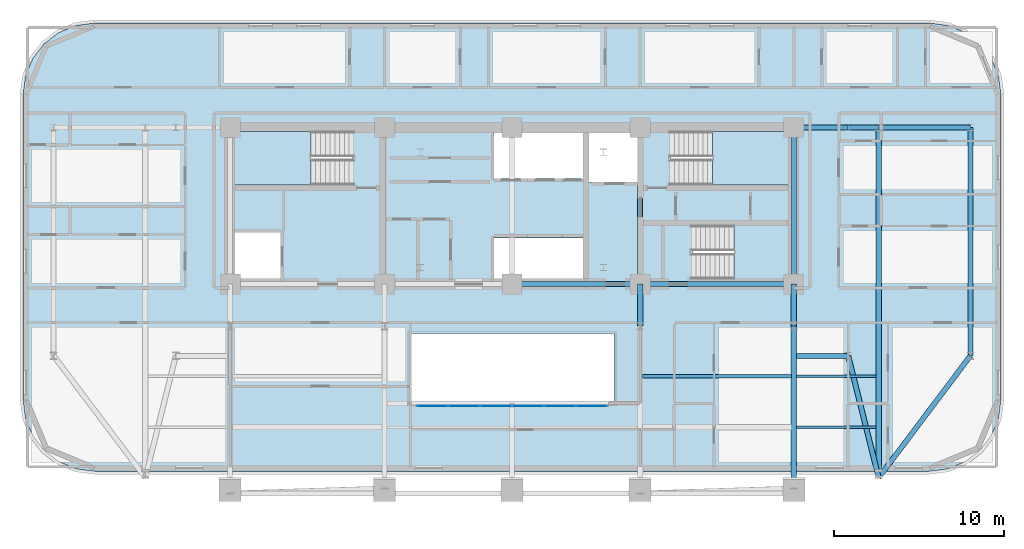
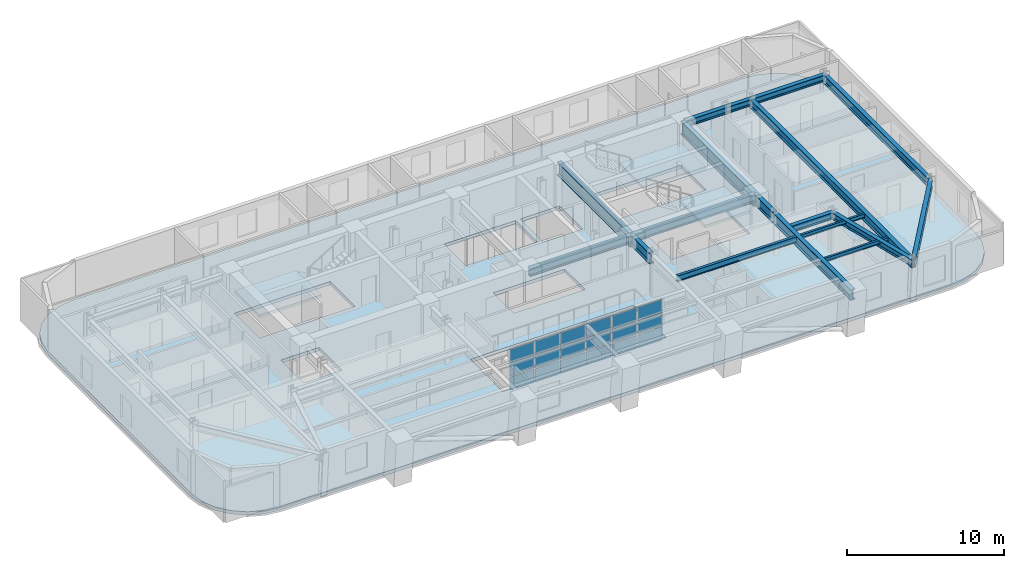
# One storey, part 5 of 15: 18 beams, 18 plates, 4 slabs, 4 elements without a shape of their own.
"""IFC4 building model written with IfcOpenShell, lengths in metres."""

import ifcopenshell
import ifcopenshell.guid

model = None  # the IFC model being written
_history = None  # IfcOwnerHistory: only IFC2X3 demands one
_inside = {}  # id of a spatial element -> (the spatial element, [elements in it])
_under = {}  # id of a project, library or spatial element -> (it, [spatial elements below it])
_declared = {}  # id of a project -> (the project, [libraries it declares])
_typed = {}  # id of a type object -> (the type object, [elements of that type])
_made_of = {}  # id of a material, layer set ... -> (it, [elements and type objects made of it])


def new_model(schema):
    """Start an empty IFC model of exactly this schema.

    Asked for "IFC4X3", IfcOpenShell would pick the latest addendum, in which some entities
    have other attributes; the version numbers below select the first issue.
    IFC2X3 requires an IfcOwnerHistory on every rooted entity: one is made here for all.
    """
    global model, _history
    if schema == "IFC4X3":
        model = ifcopenshell.file(schema_version=(4, 3, 0, 0))
    else:
        model = ifcopenshell.file(schema=schema)
    _inside.clear()
    _under.clear()
    _declared.clear()
    _typed.clear()
    _made_of.clear()
    _history = None
    if model.schema == "IFC2X3":
        org = make("IfcOrganization", Name="unknown")
        user = make(
            "IfcPersonAndOrganization",
            ThePerson=make("IfcPerson", FamilyName="unknown"),
            TheOrganization=org,
        )
        app = make(
            "IfcApplication",
            ApplicationDeveloper=org,
            Version="unknown",
            ApplicationFullName="unknown",
            ApplicationIdentifier="unknown",
        )
        _history = make(
            "IfcOwnerHistory",
            OwningUser=user,
            OwningApplication=app,
            ChangeAction="ADDED",
            CreationDate=0,
        )
    return model


def make(cls, **values):
    """One entity of the class cls with the attributes given. An attribute that is None is left unset."""
    return model.create_entity(
        cls, **{name: value for name, value in values.items() if value is not None}
    )


def rooted(cls, **values):
    """An entity with a GlobalId (a new one), such as an element, a storey or a relation."""
    return make(cls, GlobalId=ifcopenshell.guid.new(), OwnerHistory=_history, **values)


def si_unit(unit_type, name, prefix=None):
    """IfcSIUnit, for example si_unit("LENGTHUNIT", "METRE", prefix="MILLI")."""
    return make("IfcSIUnit", UnitType=unit_type, Prefix=prefix, Name=name)


def assignment(units):
    """IfcUnitAssignment: the units of a project."""
    return None if units is None else make("IfcUnitAssignment", Units=units)


def point(xyz):
    """IfcCartesianPoint."""
    return None if xyz is None else make("IfcCartesianPoint", Coordinates=xyz)


def direction(xyz):
    """IfcDirection."""
    return None if xyz is None else make("IfcDirection", DirectionRatios=xyz)


def frame(location, z_axis=None, x_axis=None):
    """IfcAxis2Placement3D, a coordinate frame: its origin and axes. An axis left out is left unset."""
    return make(
        "IfcAxis2Placement3D",
        Location=point(location),
        Axis=direction(z_axis),
        RefDirection=direction(x_axis),
    )


def frame_2d(location, x_axis=None):
    """IfcAxis2Placement2D, a coordinate frame in the plane: its origin and x axis."""
    return make(
        "IfcAxis2Placement2D", Location=point(location), RefDirection=direction(x_axis)
    )


def origin():
    """The frame at (0, 0, 0) with its axes left unset."""
    return frame((0.0, 0.0, 0.0))


def origin_2d():
    """The frame at (0, 0) in the plane with its x axis left unset."""
    return frame_2d((0.0, 0.0))


def place(relative_to, where):
    """IfcLocalPlacement: puts the frame where relative to a parent placement (None: the world)."""
    return make(
        "IfcLocalPlacement", PlacementRelTo=relative_to, RelativePlacement=where
    )


def context(
    kind, dimensions, precision=None, world=None, true_north=None, identifier=None
):
    """IfcGeometricRepresentationContext, for example the 3D "Model" context."""
    return make(
        "IfcGeometricRepresentationContext",
        ContextIdentifier=identifier,
        ContextType=kind,
        CoordinateSpaceDimension=dimensions,
        Precision=precision,
        WorldCoordinateSystem=world,
        TrueNorth=true_north,
    )


def subcontext(parent, identifier, kind, view, scale=None):
    """IfcGeometricRepresentationSubContext, for example "Body" below "Model"."""
    return make(
        "IfcGeometricRepresentationSubContext",
        ContextIdentifier=identifier,
        ContextType=kind,
        ParentContext=parent,
        TargetScale=scale,
        TargetView=view,
    )


def project(units=None, contexts=None):
    """IfcProject with its units and contexts."""
    return rooted(
        "IfcProject",
        Name="project",
        RepresentationContexts=contexts,
        UnitsInContext=assignment(units),
    )


def spatial(cls, under=None, at=None, **own):
    """A site, building, storey or space (cls), placed at a placement, below another one or the project."""
    s = rooted(cls, ObjectPlacement=at, **own)
    if under is not None:
        _under.setdefault(under.id(), (under, []))[1].append(s)
    return s


def polyline(points):
    """IfcPolyline through the points."""
    return make("IfcPolyline", Points=[point(p) for p in points])


def profile(cls, at=None, kind="AREA", **sizes):
    """A parametric profile (cls). Its sizes go by their IFC names, for example OverallWidth=200.0."""
    return make(cls, ProfileType=kind, Position=at, **sizes)


def rectangle(**sizes):
    """IfcRectangleProfileDef."""
    return profile("IfcRectangleProfileDef", **sizes)


def i_section(**sizes):
    """IfcIShapeProfileDef."""
    return profile("IfcIShapeProfileDef", **sizes)


def outline(outer, holes=None, kind="AREA"):
    """IfcArbitraryClosedProfileDef: a profile drawn as a closed curve; with holes, ...WithVoids."""
    if holes is None:
        return make("IfcArbitraryClosedProfileDef", ProfileType=kind, OuterCurve=outer)
    return make(
        "IfcArbitraryProfileDefWithVoids",
        ProfileType=kind,
        OuterCurve=outer,
        InnerCurves=holes,
    )


def extrude(swept, where, along, depth):
    """IfcExtrudedAreaSolid: the profile swept, set in the frame where, extruded along a direction by depth."""
    return make(
        "IfcExtrudedAreaSolid",
        SweptArea=swept,
        Position=where,
        ExtrudedDirection=direction(along),
        Depth=depth,
    )


def shape(context_of_items, identifier, shape_type, items):
    """IfcShapeRepresentation: the items that make up one representation, for example the "Body"."""
    return make(
        "IfcShapeRepresentation",
        ContextOfItems=context_of_items,
        RepresentationIdentifier=identifier,
        RepresentationType=shape_type,
        Items=items,
    )


def material(Name=None, Category=None):
    """IfcMaterial."""
    return make("IfcMaterial", Name=Name, Category=Category)


def layer(
    of_material, thickness, ventilated=None, Name=None, Category=None, Priority=None
):
    """IfcMaterialLayer: one layer of a wall or slab, of a material (None: an air gap)."""
    return make(
        "IfcMaterialLayer",
        Material=of_material,
        LayerThickness=thickness,
        IsVentilated=ventilated,
        Name=Name,
        Category=Category,
        Priority=Priority,
    )


def layer_set(layers, Name=None):
    """IfcMaterialLayerSet."""
    return make("IfcMaterialLayerSet", MaterialLayers=layers, LayerSetName=Name)


def material_profile(
    of_material, cross_section, Name=None, Category=None, Priority=None
):
    """IfcMaterialProfile: a cross section and its material."""
    return make(
        "IfcMaterialProfile",
        Name=Name,
        Material=of_material,
        Profile=cross_section,
        Priority=Priority,
        Category=Category,
    )


def profile_set(profiles, Name=None, composite=None):
    """IfcMaterialProfileSet."""
    return make(
        "IfcMaterialProfileSet",
        Name=Name,
        MaterialProfiles=profiles,
        CompositeProfile=composite,
    )


def made_of(thing, what):
    """Note that an element or type object is made of a material, layer set ...; save() writes the relation."""
    if what is not None:
        _made_of.setdefault(what.id(), (what, []))[1].append(thing)
    return thing


def type_object(cls, material=None, **own):
    """A type object (cls), such as IfcWallType, which elements share."""
    return made_of(rooted(cls, **own), material)


def element(
    cls,
    number,
    at=None,
    inside=None,
    cuts=None,
    type_object=None,
    material=None,
    context=None,
    identifier="Body",
    shape_type=None,
    held_by="IfcProductDefinitionShape",
    body=None,
    shapes=None,
    **own,
):
    """One element of the class cls, such as IfcWall. Its Tag is "e" and its number.

    at: its placement. inside: the storey or other place that contains it. cuts: it is an
    opening in that element (IfcRelVoidsElement). A single representation is given by context,
    identifier, shape_type and body (its items); several are given by shapes. held_by: the class
    of the entity that holds the representations. save() writes the other relations.
    """
    e = rooted(cls, Tag="e%d" % number, ObjectPlacement=at, **own)
    if body is not None:
        shapes = [shape(context, identifier, shape_type, body)]
    if shapes is not None:
        e.Representation = make(held_by, Representations=shapes)
    if inside is not None:
        _inside.setdefault(inside.id(), (inside, []))[1].append(e)
    if cuts is not None:
        rooted(
            "IfcRelVoidsElement", RelatingBuildingElement=cuts, RelatedOpeningElement=e
        )
    if type_object is not None:
        _typed.setdefault(type_object.id(), (type_object, []))[1].append(e)
    return made_of(e, material)


def aggregate(whole, parts):
    """IfcRelAggregates: a whole, such as a stair, and the parts it consists of."""
    return rooted("IfcRelAggregates", RelatingObject=whole, RelatedObjects=parts)


def save(model, path):
    """Write the relations noted so far, then the file.

    IfcRelAggregates (storeys below a building ...), IfcRelContainedInSpatialStructure (elements
    in a storey), IfcRelDefinesByType, IfcRelAssociatesMaterial and IfcRelDeclares: one each for
    every whole, place, type object, material and project.
    """
    for whole, parts in _under.values():
        aggregate(whole, parts)
    for where, things in _inside.values():
        rooted(
            "IfcRelContainedInSpatialStructure",
            RelatedElements=things,
            RelatingStructure=where,
        )
    for kind, things in _typed.values():
        rooted("IfcRelDefinesByType", RelatedObjects=things, RelatingType=kind)
    for what, things in _made_of.values():
        rooted("IfcRelAssociatesMaterial", RelatedObjects=things, RelatingMaterial=what)
    for by, libraries in _declared.values():
        rooted("IfcRelDeclares", RelatingContext=by, RelatedDefinitions=libraries)
    model.write(path)


model = new_model("IFC4")

# Units and contexts
model_context = context("Model", 3, precision=1e-05, world=origin(), true_north=direction((0.0, 1.0)))
body_context = subcontext(model_context, "Body", "Model", "MODEL_VIEW")
ifc_project = project(units=[si_unit("LENGTHUNIT", "METRE"), si_unit("AREAUNIT", "SQUARE_METRE"), si_unit("VOLUMEUNIT", "CUBIC_METRE"), si_unit("PLANEANGLEUNIT", "RADIAN"), si_unit("MASSUNIT", "GRAM", prefix="KILO")], contexts=[model_context])

# Site, building, storey
site_placement = place(None, origin())
site = spatial("IfcSite", under=ifc_project, at=site_placement, CompositionType="ELEMENT")
building_placement = place(site_placement, origin())
building = spatial("IfcBuilding", under=site, at=building_placement, Name="Zarnavel Station Tower", CompositionType="ELEMENT")
storey_placement = place(building_placement, frame((0.0, 0.0, 115.300048828125)))
storey = spatial("IfcBuildingStorey", under=building, at=storey_placement, Name="L31", CompositionType="ELEMENT", Elevation=115.300048828125)

# Beams
ifc_material_1 = material(Name="Steel S355J2", Category="steel")
ifc_material_profile_1 = material_profile(ifc_material_1, i_section(OverallWidth=0.18994140625, OverallDepth=0.449951171875, WebThickness=0.009521484375, FlangeThickness=0.0146484375, FilletRadius=0.02099609375, at=origin_2d()), Name="IPE450")
ifc_profile_set_1 = profile_set([ifc_material_profile_1], Name="Steel S355J2")
beam_type_1 = type_object("IfcBeamType", Name="FB_IPE450", PredefinedType="BEAM", material=ifc_profile_set_1)
beam_1_placement = place(storey_placement, frame((36.4951171875, 22.395263671875, 3.014892578125), z_axis=(1.0, 0.0, 0.0), x_axis=(0.0, 1.0, 0.0)))
element("IfcBeam", 1, at=beam_1_placement, inside=storey, type_object=beam_type_1, Name="L31 East Bay Beam 2", PredefinedType="BEAM", context=body_context, shape_type="SweptSolid", body=[
    extrude(i_section(OverallWidth=0.18994140625, OverallDepth=0.449951171875, WebThickness=0.009521484375, FlangeThickness=0.0146484375, FilletRadius=0.02099609375, at=origin_2d()), origin(), (0.0, 0.0, 1.0), 8.759765625),
])
ifc_material_2 = material(Name="Steel S355J2", Category="steel")
ifc_material_profile_2 = material_profile(ifc_material_2, i_section(OverallWidth=0.300048828125, OverallDepth=0.5, WebThickness=0.014404296875, FlangeThickness=0.028076171875, FilletRadius=0.027099609375, at=origin_2d()), Name="HEB500")
ifc_profile_set_2 = profile_set([ifc_material_profile_2], Name="Steel S355J2")
beam_type_2 = type_object("IfcBeamType", Name="FG_HEB500", PredefinedType="USERDEFINED", material=ifc_profile_set_2)
for number, where, z_axis, x_axis, name in (
    (2, (45.544921875, 23.60009765625, 2.989990234375), (1.0, 0.0, 0.0), (0.0, 1.0, 0.0), "L31 East Wing South Tie 1"),
    (3, (45.544921875, 37.050048828125, 2.989990234375), (1.0, 0.0, 0.0), (0.0, 1.0, 0.0), "L31 East Wing North Tie 1"),
):
    element("IfcBeam", number, at=place(storey_placement, frame(where, z_axis=z_axis, x_axis=x_axis)), inside=storey, type_object=beam_type_2, Name=name, ObjectType="GIRDER", PredefinedType="USERDEFINED", context=body_context, shape_type="SweptSolid", body=[
        extrude(i_section(OverallWidth=0.300048828125, OverallDepth=0.5, WebThickness=0.014404296875, FlangeThickness=0.028076171875, FilletRadius=0.027099609375, at=origin_2d()), origin(), (0.0, 0.0, 1.0), 3.05517578125),
    ])
beam_2_placement = place(storey_placement, frame((48.60009765625, 23.60009765625, 2.989990234375), z_axis=(0.243249835412, -0.969963668171, 0.0), x_axis=(0.969963668171, 0.243249835412, 0.0)))
element("IfcBeam", 4, at=beam_2_placement, inside=storey, type_object=beam_type_2, Name="L31 East Wing South Tie 2", ObjectType="GIRDER", PredefinedType="USERDEFINED", context=body_context, shape_type="SweptSolid", body=[
    extrude(i_section(OverallWidth=0.300048828125, OverallDepth=0.5, WebThickness=0.014404296875, FlangeThickness=0.028076171875, FilletRadius=0.027099609375, at=origin_2d()), origin(), (0.0, 0.0, 1.0), 7.39892578125),
])
beam_3_placement = place(storey_placement, frame((48.60009765625, 37.050048828125, 2.989990234375), z_axis=(1.0, 0.0, 0.0), x_axis=(0.0, 1.0, 0.0)))
element("IfcBeam", 5, at=beam_3_placement, inside=storey, type_object=beam_type_2, Name="L31 East Wing North Tie 2", ObjectType="GIRDER", PredefinedType="USERDEFINED", context=body_context, shape_type="SweptSolid", body=[
    extrude(i_section(OverallWidth=0.300048828125, OverallDepth=0.5, WebThickness=0.014404296875, FlangeThickness=0.028076171875, FilletRadius=0.027099609375, at=origin_2d()), origin(), (0.0, 0.0, 1.0), 1.7998046875),
])
beam_4_placement = place(storey_placement, frame((50.39990234375, 16.42333984375, 2.989990234375), z_axis=(0.601251838577, 0.799059588897, 0.0), x_axis=(-0.799059588897, 0.601251838577, 0.0)))
element("IfcBeam", 6, at=beam_4_placement, inside=storey, type_object=beam_type_2, Name="L31 East Wing South Tie 3", ObjectType="GIRDER", PredefinedType="USERDEFINED", context=body_context, shape_type="SweptSolid", body=[
    extrude(i_section(OverallWidth=0.300048828125, OverallDepth=0.5, WebThickness=0.014404296875, FlangeThickness=0.028076171875, FilletRadius=0.027099609375, at=origin_2d()), origin(), (0.0, 0.0, 1.0), 8.9814453125),
])
beam_5_placement = place(storey_placement, frame((50.39990234375, 37.050048828125, 2.989990234375), z_axis=(1.0, 0.0, 0.0), x_axis=(0.0, 1.0, 0.0)))
element("IfcBeam", 7, at=beam_5_placement, inside=storey, type_object=beam_type_2, Name="L31 East Wing North Tie 3", ObjectType="GIRDER", PredefinedType="USERDEFINED", context=body_context, shape_type="SweptSolid", body=[
    extrude(i_section(OverallWidth=0.300048828125, OverallDepth=0.5, WebThickness=0.014404296875, FlangeThickness=0.028076171875, FilletRadius=0.027099609375, at=origin_2d()), origin(), (0.0, 0.0, 1.0), 5.400146484375),
])
ifc_material_3 = material(Name="Steel S355J2", Category="steel")
ifc_material_profile_3 = material_profile(ifc_material_3, i_section(OverallWidth=0.300048828125, OverallDepth=0.60009765625, WebThickness=0.015380859375, FlangeThickness=0.030029296875, FilletRadius=0.027099609375, at=origin_2d()), Name="HEB600")
ifc_profile_set_3 = profile_set([ifc_material_profile_3], Name="Steel S355J2")
beam_type_3 = type_object("IfcBeamType", Name="FG_HEB600", PredefinedType="USERDEFINED", material=ifc_profile_set_3)
beam_6_placement = place(storey_placement, frame((28.800048828125, 27.820068359375, 2.93994140625), z_axis=(1.0, 0.0, 0.0), x_axis=(0.0, 1.0, 0.0)))
element("IfcBeam", 8, at=beam_6_placement, inside=storey, type_object=beam_type_3, Name="L31 Core Front Coupling Beam 3", ObjectType="GIRDER", PredefinedType="USERDEFINED", context=body_context, shape_type="SweptSolid", body=[
    extrude(i_section(OverallWidth=0.300048828125, OverallDepth=0.60009765625, WebThickness=0.015380859375, FlangeThickness=0.030029296875, FilletRadius=0.027099609375, at=origin_2d()), origin(), (0.0, 0.0, 1.0), 7.550048828125),
])
beam_7_placement = place(storey_placement, frame((36.35009765625, 27.820068359375, 2.93994140625), z_axis=(1.0, 0.0, 0.0), x_axis=(0.0, 1.0, 0.0)))
element("IfcBeam", 9, at=beam_7_placement, inside=storey, type_object=beam_type_3, Name="L31 Core Front Coupling Beam 4", ObjectType="GIRDER", PredefinedType="USERDEFINED", context=body_context, shape_type="SweptSolid", body=[
    extrude(i_section(OverallWidth=0.300048828125, OverallDepth=0.60009765625, WebThickness=0.015380859375, FlangeThickness=0.030029296875, FilletRadius=0.027099609375, at=origin_2d()), origin(), (0.0, 0.0, 1.0), 9.0498046875),
])
ifc_material_4 = material(Name="Steel S355J2", Category="steel")
ifc_material_profile_4 = material_profile(ifc_material_4, i_section(OverallWidth=0.300048828125, OverallDepth=0.64990234375, WebThickness=0.01611328125, FlangeThickness=0.031005859375, FilletRadius=0.027099609375, at=origin_2d()), Name="HEB650")
ifc_profile_set_4 = profile_set([ifc_material_profile_4], Name="Steel S355J2")
beam_type_4 = type_object("IfcBeamType", Name="FG_HEB650", PredefinedType="USERDEFINED", material=ifc_profile_set_4)
beam_8_placement = place(storey_placement, frame((50.39990234375, 16.42333984375, 2.9150390625), z_axis=(0.0, 1.0, 0.0), x_axis=(-1.0, 0.0, 0.0)))
element("IfcBeam", 10, at=beam_8_placement, inside=storey, type_object=beam_type_4, Name="L31 Wing NS Girder 3", ObjectType="GIRDER", PredefinedType="USERDEFINED", context=body_context, shape_type="SweptSolid", body=[
    extrude(i_section(OverallWidth=0.300048828125, OverallDepth=0.64990234375, WebThickness=0.01611328125, FlangeThickness=0.031005859375, FilletRadius=0.027099609375, at=origin_2d()), origin(), (0.0, 0.0, 1.0), 20.626708984375),
])
beam_9_placement = place(storey_placement, frame((55.800048828125, 23.60009765625, 2.9150390625), z_axis=(0.0, 1.0, 0.0), x_axis=(-1.0, 0.0, 0.0)))
element("IfcBeam", 11, at=beam_9_placement, inside=storey, type_object=beam_type_4, Name="L31 Wing NS Girder 4", ObjectType="GIRDER", PredefinedType="USERDEFINED", context=body_context, shape_type="SweptSolid", body=[
    extrude(i_section(OverallWidth=0.300048828125, OverallDepth=0.64990234375, WebThickness=0.01611328125, FlangeThickness=0.031005859375, FilletRadius=0.027099609375, at=origin_2d()), origin(), (0.0, 0.0, 1.0), 13.449951171875),
])
ifc_material_5 = material(Name="Steel S460M", Category="steel")
ifc_material_profile_5 = material_profile(ifc_material_5, i_section(OverallWidth=0.302978515625, OverallDepth=0.81396484375, WebThickness=0.02099609375, FlangeThickness=0.0400390625, FilletRadius=0.030029296875, at=origin_2d()), Name="HEM800")
ifc_profile_set_5 = profile_set([ifc_material_profile_5], Name="Steel S460M")
beam_type_5 = type_object("IfcBeamType", Name="FG_HEM800", PredefinedType="USERDEFINED", material=ifc_profile_set_5)
beam_10_placement = place(storey_placement, frame((36.35009765625, 25.35009765625, 2.8330078125), z_axis=(0.0, 1.0, 0.0), x_axis=(-1.0, 0.0, 0.0)))
element("IfcBeam", 12, at=beam_10_placement, inside=storey, type_object=beam_type_5, Name="L31 Inner-Zone NS Girder 4", ObjectType="GIRDER", PredefinedType="USERDEFINED", context=body_context, shape_type="SweptSolid", body=[
    extrude(i_section(OverallWidth=0.302978515625, OverallDepth=0.81396484375, WebThickness=0.02099609375, FlangeThickness=0.0400390625, FilletRadius=0.030029296875, at=origin_2d()), origin(), (0.0, 0.0, 1.0), 2.469970703125),
])
beam_11_placement = place(storey_placement, frame((45.39990234375, 15.48583984375, 2.8330078125), z_axis=(0.0, 1.0, 0.0), x_axis=(-1.0, 0.0, 0.0)))
element("IfcBeam", 13, at=beam_11_placement, inside=storey, type_object=beam_type_5, Name="L31 South-Zone NS Girder 5", ObjectType="GIRDER", PredefinedType="USERDEFINED", context=body_context, shape_type="SweptSolid", body=[
    extrude(i_section(OverallWidth=0.302978515625, OverallDepth=0.81396484375, WebThickness=0.02099609375, FlangeThickness=0.0400390625, FilletRadius=0.030029296875, at=origin_2d()), origin(), (0.0, 0.0, 1.0), 9.8642578125),
])
beam_12_placement = place(storey_placement, frame((45.39990234375, 25.35009765625, 2.8330078125), z_axis=(0.0, 1.0, 0.0), x_axis=(-1.0, 0.0, 0.0)))
element("IfcBeam", 14, at=beam_12_placement, inside=storey, type_object=beam_type_5, Name="L31 Inner-Zone NS Girder 5", ObjectType="GIRDER", PredefinedType="USERDEFINED", context=body_context, shape_type="SweptSolid", body=[
    extrude(i_section(OverallWidth=0.302978515625, OverallDepth=0.81396484375, WebThickness=0.02099609375, FlangeThickness=0.0400390625, FilletRadius=0.030029296875, at=origin_2d()), origin(), (0.0, 0.0, 1.0), 2.469970703125),
])
ifc_material_6 = material(Name="Steel S355J2", Category="steel")
ifc_material_profile_6 = material_profile(ifc_material_6, i_section(OverallWidth=0.14990234375, OverallDepth=0.300048828125, WebThickness=0.007080078125, FlangeThickness=0.0107421875, FilletRadius=0.014892578125, at=origin_2d()), Name="IPE300")
ifc_profile_set_6 = profile_set([ifc_material_profile_6], Name="Steel S355J2")
beam_type_6 = type_object("IfcBeamType", Name="FJ_IPE300", PredefinedType="JOIST", material=ifc_profile_set_6)
for number, where, z_axis, x_axis, name in (
    (15, (45.544921875, 19.390625, 3.08984375), (1.0, 0.0, 0.0), (0.0, 1.0, 0.0), "L31 East Wing Joist 1"),
    (16, (45.544921875, 22.395263671875, 3.08984375), (1.0, 0.0, 0.0), (0.0, 1.0, 0.0), "L31 East Wing Joist 2"),
):
    element("IfcBeam", number, at=place(storey_placement, frame(where, z_axis=z_axis, x_axis=x_axis)), inside=storey, type_object=beam_type_6, Name=name, PredefinedType="JOIST", context=body_context, shape_type="SweptSolid", body=[
        extrude(i_section(OverallWidth=0.14990234375, OverallDepth=0.300048828125, WebThickness=0.007080078125, FlangeThickness=0.0107421875, FilletRadius=0.014892578125, at=origin_2d()), origin(), (0.0, 0.0, 1.0), 4.7099609375),
    ])
ifc_material_7 = material(Name="Steel S460M", Category="steel")
ifc_material_profile_7 = material_profile(ifc_material_7, i_section(OverallWidth=0.302001953125, OverallDepth=1.008056640625, WebThickness=0.02099609375, FlangeThickness=0.0400390625, FilletRadius=0.030029296875, at=origin_2d()), Name="HEM1000")
ifc_profile_set_7 = profile_set([ifc_material_profile_7], Name="Steel S460M")
beam_type_7 = type_object("IfcBeamType", Name="TG_HEM1000", PredefinedType="USERDEFINED", material=ifc_profile_set_7)
for number, where, z_axis, x_axis, name in (
    (17, (36.35009765625, 27.820068359375, 2.73583984375), (0.0, 1.0, 0.0), (-1.0, 0.0, 0.0), "L31 Core Spine Coupling Girder 4"),
    (18, (45.39990234375, 27.820068359375, 2.73583984375), (0.0, 1.0, 0.0), (-1.0, 0.0, 0.0), "L31 Core Spine Coupling Girder 5"),
):
    element("IfcBeam", number, at=place(storey_placement, frame(where, z_axis=z_axis, x_axis=x_axis)), inside=storey, type_object=beam_type_7, Name=name, ObjectType="GIRDER", PredefinedType="USERDEFINED", context=body_context, shape_type="SweptSolid", body=[
        extrude(i_section(OverallWidth=0.302001953125, OverallDepth=1.008056640625, WebThickness=0.02099609375, FlangeThickness=0.0400390625, FilletRadius=0.030029296875, at=origin_2d()), origin(), (0.0, 0.0, 1.0), 9.22998046875),
    ])

# Curtain wall, plates
ifc_material_8 = material(Name="Aluminium Dark Anodised and Solar-Control Glass", Category="aluminium")
ifc_layer_1 = layer(ifc_material_8, 0.179931640625)
ifc_layer_set_1 = layer_set([ifc_layer_1], Name="CWS3")
curtain_wall_type = type_object("IfcCurtainWallType", Name="CWS3", PredefinedType="NOTDEFINED", material=ifc_layer_set_1)
curtain_wall_placement = place(storey_placement, origin())
curtain_wall = element("IfcCurtainWall", 19, at=curtain_wall_placement, inside=storey, type_object=curtain_wall_type, Name="L31 Curtain Wall CWS3-L31-AS", PredefinedType="NOTDEFINED")
ifc_material_9 = material(Name="Double Low-E Dark Solar-Control Glass", Category="glass")
ifc_layer_2 = layer(ifc_material_9, 0.030029296875)
ifc_layer_set_2 = layer_set([ifc_layer_2], Name="CWS3_PNL")
plate_type = type_object("IfcPlateType", Name="CWS3_PNL", PredefinedType="CURTAIN_PANEL", material=ifc_layer_set_2)
plate_1_placement = place(storey_placement, frame((24.106689453125, 20.64990234375, 0.06005859375), z_axis=(0.0, 0.0, 1.0), x_axis=(1.0, 0.0, 0.0)))
plate_1 = element("IfcPlate", 20, at=plate_1_placement, type_object=plate_type, Name="CW3 panel 1.1", PredefinedType="CURTAIN_PANEL", context=body_context, shape_type="SweptSolid", body=[
    extrude(rectangle(XDim=1.793212890625, YDim=0.028076171875, at=origin_2d()), origin(), (0.0, 0.0, 1.0), 0.989990234375),
])
plate_2_placement = place(storey_placement, frame((24.106689453125, 20.64990234375, 1.10986328125), z_axis=(0.0, 0.0, 1.0), x_axis=(1.0, 0.0, 0.0)))
plate_2 = element("IfcPlate", 21, at=plate_2_placement, type_object=plate_type, Name="CW3 panel 1.2", PredefinedType="CURTAIN_PANEL", context=body_context, shape_type="SweptSolid", body=[
    extrude(rectangle(XDim=1.793212890625, YDim=0.028076171875, at=origin_2d()), origin(), (0.0, 0.0, 1.0), 1.02001953125),
])
plate_3_placement = place(storey_placement, frame((24.106689453125, 20.64990234375, 2.18994140625), z_axis=(0.0, 0.0, 1.0), x_axis=(1.0, 0.0, 0.0)))
plate_3 = element("IfcPlate", 22, at=plate_3_placement, type_object=plate_type, Name="CW3 panel 1.3", PredefinedType="CURTAIN_PANEL", context=body_context, shape_type="SweptSolid", body=[
    extrude(rectangle(XDim=1.793212890625, YDim=0.028076171875, at=origin_2d()), origin(), (0.0, 0.0, 1.0), 0.989990234375),
])
plate_4_placement = place(storey_placement, frame((25.97509765625, 20.64990234375, 0.06005859375), z_axis=(0.0, 0.0, 1.0), x_axis=(1.0, 0.0, 0.0)))
plate_4 = element("IfcPlate", 23, at=plate_4_placement, type_object=plate_type, Name="CW3 panel 2.1", PredefinedType="CURTAIN_PANEL", context=body_context, shape_type="SweptSolid", body=[
    extrude(rectangle(XDim=1.8232421875, YDim=0.028076171875, at=origin_2d()), origin(), (0.0, 0.0, 1.0), 0.989990234375),
])
plate_5_placement = place(storey_placement, frame((25.97509765625, 20.64990234375, 1.10986328125), z_axis=(0.0, 0.0, 1.0), x_axis=(1.0, 0.0, 0.0)))
plate_5 = element("IfcPlate", 24, at=plate_5_placement, type_object=plate_type, Name="CW3 panel 2.2", PredefinedType="CURTAIN_PANEL", context=body_context, shape_type="SweptSolid", body=[
    extrude(rectangle(XDim=1.8232421875, YDim=0.028076171875, at=origin_2d()), origin(), (0.0, 0.0, 1.0), 1.02001953125),
])
plate_6_placement = place(storey_placement, frame((25.97509765625, 20.64990234375, 2.18994140625), z_axis=(0.0, 0.0, 1.0), x_axis=(1.0, 0.0, 0.0)))
plate_6 = element("IfcPlate", 25, at=plate_6_placement, type_object=plate_type, Name="CW3 panel 2.3", PredefinedType="CURTAIN_PANEL", context=body_context, shape_type="SweptSolid", body=[
    extrude(rectangle(XDim=1.8232421875, YDim=0.028076171875, at=origin_2d()), origin(), (0.0, 0.0, 1.0), 0.989990234375),
])
plate_7_placement = place(storey_placement, frame((27.8583984375, 20.64990234375, 0.06005859375), z_axis=(0.0, 0.0, 1.0), x_axis=(1.0, 0.0, 0.0)))
plate_7 = element("IfcPlate", 26, at=plate_7_placement, type_object=plate_type, Name="CW3 panel 3.1", PredefinedType="CURTAIN_PANEL", context=body_context, shape_type="SweptSolid", body=[
    extrude(rectangle(XDim=1.8232421875, YDim=0.028076171875, at=origin_2d()), origin(), (0.0, 0.0, 1.0), 0.989990234375),
])
plate_8_placement = place(storey_placement, frame((27.8583984375, 20.64990234375, 1.10986328125), z_axis=(0.0, 0.0, 1.0), x_axis=(1.0, 0.0, 0.0)))
plate_8 = element("IfcPlate", 27, at=plate_8_placement, type_object=plate_type, Name="CW3 panel 3.2", PredefinedType="CURTAIN_PANEL", context=body_context, shape_type="SweptSolid", body=[
    extrude(rectangle(XDim=1.8232421875, YDim=0.028076171875, at=origin_2d()), origin(), (0.0, 0.0, 1.0), 1.02001953125),
])
plate_9_placement = place(storey_placement, frame((27.8583984375, 20.64990234375, 2.18994140625), z_axis=(0.0, 0.0, 1.0), x_axis=(1.0, 0.0, 0.0)))
plate_9 = element("IfcPlate", 28, at=plate_9_placement, type_object=plate_type, Name="CW3 panel 3.3", PredefinedType="CURTAIN_PANEL", context=body_context, shape_type="SweptSolid", body=[
    extrude(rectangle(XDim=1.8232421875, YDim=0.028076171875, at=origin_2d()), origin(), (0.0, 0.0, 1.0), 0.989990234375),
])
plate_10_placement = place(storey_placement, frame((29.74169921875, 20.64990234375, 0.06005859375), z_axis=(0.0, 0.0, 1.0), x_axis=(1.0, 0.0, 0.0)))
plate_10 = element("IfcPlate", 29, at=plate_10_placement, type_object=plate_type, Name="CW3 panel 4.1", PredefinedType="CURTAIN_PANEL", context=body_context, shape_type="SweptSolid", body=[
    extrude(rectangle(XDim=1.8232421875, YDim=0.028076171875, at=origin_2d()), origin(), (0.0, 0.0, 1.0), 0.989990234375),
])
plate_11_placement = place(storey_placement, frame((29.74169921875, 20.64990234375, 1.10986328125), z_axis=(0.0, 0.0, 1.0), x_axis=(1.0, 0.0, 0.0)))
plate_11 = element("IfcPlate", 30, at=plate_11_placement, type_object=plate_type, Name="CW3 panel 4.2", PredefinedType="CURTAIN_PANEL", context=body_context, shape_type="SweptSolid", body=[
    extrude(rectangle(XDim=1.8232421875, YDim=0.028076171875, at=origin_2d()), origin(), (0.0, 0.0, 1.0), 1.02001953125),
])
plate_12_placement = place(storey_placement, frame((29.74169921875, 20.64990234375, 2.18994140625), z_axis=(0.0, 0.0, 1.0), x_axis=(1.0, 0.0, 0.0)))
plate_12 = element("IfcPlate", 31, at=plate_12_placement, type_object=plate_type, Name="CW3 panel 4.3", PredefinedType="CURTAIN_PANEL", context=body_context, shape_type="SweptSolid", body=[
    extrude(rectangle(XDim=1.8232421875, YDim=0.028076171875, at=origin_2d()), origin(), (0.0, 0.0, 1.0), 0.989990234375),
])
plate_13_placement = place(storey_placement, frame((31.625, 20.64990234375, 0.06005859375), z_axis=(0.0, 0.0, 1.0), x_axis=(1.0, 0.0, 0.0)))
plate_13 = element("IfcPlate", 32, at=plate_13_placement, type_object=plate_type, Name="CW3 panel 5.1", PredefinedType="CURTAIN_PANEL", context=body_context, shape_type="SweptSolid", body=[
    extrude(rectangle(XDim=1.8232421875, YDim=0.028076171875, at=origin_2d()), origin(), (0.0, 0.0, 1.0), 0.989990234375),
])
plate_14_placement = place(storey_placement, frame((31.625, 20.64990234375, 1.10986328125), z_axis=(0.0, 0.0, 1.0), x_axis=(1.0, 0.0, 0.0)))
plate_14 = element("IfcPlate", 33, at=plate_14_placement, type_object=plate_type, Name="CW3 panel 5.2", PredefinedType="CURTAIN_PANEL", context=body_context, shape_type="SweptSolid", body=[
    extrude(rectangle(XDim=1.8232421875, YDim=0.028076171875, at=origin_2d()), origin(), (0.0, 0.0, 1.0), 1.02001953125),
])
plate_15_placement = place(storey_placement, frame((31.625, 20.64990234375, 2.18994140625), z_axis=(0.0, 0.0, 1.0), x_axis=(1.0, 0.0, 0.0)))
plate_15 = element("IfcPlate", 34, at=plate_15_placement, type_object=plate_type, Name="CW3 panel 5.3", PredefinedType="CURTAIN_PANEL", context=body_context, shape_type="SweptSolid", body=[
    extrude(rectangle(XDim=1.8232421875, YDim=0.028076171875, at=origin_2d()), origin(), (0.0, 0.0, 1.0), 0.989990234375),
])
plate_16_placement = place(storey_placement, frame((33.493408203125, 20.64990234375, 0.06005859375), z_axis=(0.0, 0.0, 1.0), x_axis=(1.0, 0.0, 0.0)))
plate_16 = element("IfcPlate", 35, at=plate_16_placement, type_object=plate_type, Name="CW3 panel 6.1", PredefinedType="CURTAIN_PANEL", context=body_context, shape_type="SweptSolid", body=[
    extrude(rectangle(XDim=1.793212890625, YDim=0.028076171875, at=origin_2d()), origin(), (0.0, 0.0, 1.0), 0.989990234375),
])
plate_17_placement = place(storey_placement, frame((33.493408203125, 20.64990234375, 1.10986328125), z_axis=(0.0, 0.0, 1.0), x_axis=(1.0, 0.0, 0.0)))
plate_17 = element("IfcPlate", 36, at=plate_17_placement, type_object=plate_type, Name="CW3 panel 6.2", PredefinedType="CURTAIN_PANEL", context=body_context, shape_type="SweptSolid", body=[
    extrude(rectangle(XDim=1.793212890625, YDim=0.028076171875, at=origin_2d()), origin(), (0.0, 0.0, 1.0), 1.02001953125),
])
plate_18_placement = place(storey_placement, frame((33.493408203125, 20.64990234375, 2.18994140625), z_axis=(0.0, 0.0, 1.0), x_axis=(1.0, 0.0, 0.0)))
plate_18 = element("IfcPlate", 37, at=plate_18_placement, type_object=plate_type, Name="CW3 panel 6.3", PredefinedType="CURTAIN_PANEL", context=body_context, shape_type="SweptSolid", body=[
    extrude(rectangle(XDim=1.793212890625, YDim=0.028076171875, at=origin_2d()), origin(), (0.0, 0.0, 1.0), 0.989990234375),
])
aggregate(curtain_wall, [plate_1, plate_2, plate_3, plate_4, plate_5, plate_6, plate_7, plate_8, plate_9, plate_10, plate_11, plate_12, plate_13, plate_14, plate_15, plate_16, plate_17, plate_18])

# Slab
ifc_material_10 = material(Name="Concrete C45/55", Category="concrete")
ifc_layer_3 = layer(ifc_material_10, 0.260009765625)
ifc_layer_set_3 = layer_set([ifc_layer_3], Name="SL_FLR_260")
slab_type_1 = type_object("IfcSlabType", Name="SL_FLR_260", PredefinedType="FLOOR", material=ifc_layer_set_3)
slab_1_placement = place(storey_placement, frame((0.0, 0.0, -0.260009765625)))
element("IfcSlab", 38, at=slab_1_placement, inside=storey, type_object=slab_type_1, Name="L31 Structural Floor Slab", PredefinedType="FLOOR", context=body_context, shape_type="SweptSolid", body=[
    extrude(outline(polyline([(53.39990234375, 16.800048828125), (54.487060546875, 16.943115234375), (55.5, 17.36279296875), (56.369873046875, 18.0302734375), (57.037353515625, 18.89990234375), (57.456787109375, 19.9130859375), (57.60009765625, 21.0), (57.60009765625, 39.0), (57.456787109375, 40.0869140625), (57.037353515625, 41.10009765625), (56.369873046875, 41.9697265625), (55.5, 42.63720703125), (54.487060546875, 43.056884765625), (53.39990234375, 43.199951171875), (4.199951171875, 43.199951171875), (3.113037109375, 43.056884765625), (2.10009765625, 42.63720703125), (1.230224609375, 41.9697265625), (0.562744140625, 41.10009765625), (0.14306640625, 40.0869140625), (0.0, 39.0), (0.0, 21.0), (0.14306640625, 19.9130859375), (0.562744140625, 18.89990234375), (1.230224609375, 18.0302734375), (2.10009765625, 17.36279296875), (3.113037109375, 16.943115234375), (4.199951171875, 16.800048828125), (53.39990234375, 16.800048828125)]), holes=[polyline([(12.39990234375, 33.659912109375), (19.409912109375, 33.659912109375), (19.409912109375, 36.820068359375), (12.39990234375, 36.820068359375), (12.39990234375, 33.659912109375)]), polyline([(38.14990234375, 33.659912109375), (45.159912109375, 33.659912109375), (45.159912109375, 36.820068359375), (38.14990234375, 36.820068359375), (38.14990234375, 33.659912109375)]), polyline([(39.419921875, 28.1201171875), (45.14990234375, 28.1201171875), (45.14990234375, 31.280029296875), (39.419921875, 31.280029296875), (39.419921875, 28.1201171875)]), polyline([(12.35009765625, 27.949951171875), (15.14990234375, 27.949951171875), (15.14990234375, 30.85009765625), (12.35009765625, 30.85009765625), (12.35009765625, 27.949951171875)]), polyline([(33.320068359375, 33.85009765625), (36.2099609375, 33.85009765625), (36.2099609375, 36.780029296875), (33.320068359375, 36.780029296875), (33.320068359375, 33.85009765625)]), polyline([(27.75, 34.050048828125), (32.97998046875, 34.050048828125), (32.97998046875, 36.780029296875), (27.75, 36.780029296875), (27.75, 34.050048828125)]), polyline([(27.75, 27.949951171875), (32.97998046875, 27.949951171875), (32.97998046875, 30.550048828125), (27.75, 30.550048828125), (27.75, 27.949951171875)]), polyline([(22.800048828125, 20.800048828125), (34.800048828125, 20.800048828125), (34.800048828125, 24.89990234375), (22.800048828125, 24.89990234375), (22.800048828125, 20.800048828125)])]), origin(), (0.0, 0.0, 1.0), 0.260009765625),
])

# Stair, slab
ifc_material_11 = material(Name="Concrete C45/55", Category="concrete")
stair_type = type_object("IfcStairType", Name="ST_CORE_150", PredefinedType="HALF_TURN_STAIR", material=ifc_material_11)
stair_1_placement = place(storey_placement, origin())
stair_1 = element("IfcStair", 39, at=stair_1_placement, inside=storey, type_object=stair_type, Name="L31 Core Exit Stair ST1", PredefinedType="HALF_TURN_STAIR")
ifc_material_12 = material(Name="Concrete C45/55", Category="concrete")
ifc_layer_4 = layer(ifc_material_12, 0.199951171875)
ifc_layer_set_4 = layer_set([ifc_layer_4], Name="SL_STAIR_LAND_200")
slab_type_2 = type_object("IfcSlabType", Name="SL_STAIR_LAND_200", PredefinedType="LANDING", material=ifc_layer_set_4)
slab_2_placement = place(storey_placement, frame((0.0, 0.0, 1.550048828125)))
slab_2 = element("IfcSlab", 40, at=slab_2_placement, type_object=slab_type_2, Name="ST1 landing 1", PredefinedType="LANDING", context=body_context, shape_type="SweptSolid", body=[
    extrude(outline(polyline([(16.9599609375, 36.820068359375), (12.39990234375, 36.820068359375), (12.39990234375, 33.659912109375), (16.9599609375, 33.659912109375), (16.9599609375, 36.820068359375)])), origin(), (0.0, 0.0, 1.0), 0.199951171875),
])
aggregate(stair_1, [slab_2])

stair_2_placement = place(storey_placement, origin())
stair_2 = element("IfcStair", 41, at=stair_2_placement, inside=storey, type_object=stair_type, Name="L31 Core Exit Stair ST2", PredefinedType="HALF_TURN_STAIR")
slab_3_placement = place(storey_placement, frame((0.0, 0.0, 1.550048828125)))
slab_3 = element("IfcSlab", 42, at=slab_3_placement, type_object=slab_type_2, Name="ST2 landing 1", PredefinedType="LANDING", context=body_context, shape_type="SweptSolid", body=[
    extrude(outline(polyline([(40.60009765625, 33.659912109375), (45.159912109375, 33.659912109375), (45.159912109375, 36.820068359375), (40.60009765625, 36.820068359375), (40.60009765625, 33.659912109375)])), origin(), (0.0, 0.0, 1.0), 0.199951171875),
])
aggregate(stair_2, [slab_3])

stair_3_placement = place(storey_placement, origin())
stair_3 = element("IfcStair", 43, at=stair_3_placement, inside=storey, type_object=stair_type, Name="L31 Core Exit Stair ST3", PredefinedType="HALF_TURN_STAIR")
slab_4_placement = place(storey_placement, frame((0.0, 0.0, 1.550048828125)))
slab_4 = element("IfcSlab", 44, at=slab_4_placement, type_object=slab_type_2, Name="ST3 landing 1", PredefinedType="LANDING", context=body_context, shape_type="SweptSolid", body=[
    extrude(outline(polyline([(41.8701171875, 28.1201171875), (45.14990234375, 28.1201171875), (45.14990234375, 31.280029296875), (41.8701171875, 31.280029296875), (41.8701171875, 28.1201171875)])), origin(), (0.0, 0.0, 1.0), 0.199951171875),
])
aggregate(stair_3, [slab_4])

save(model, "model.ifc")
